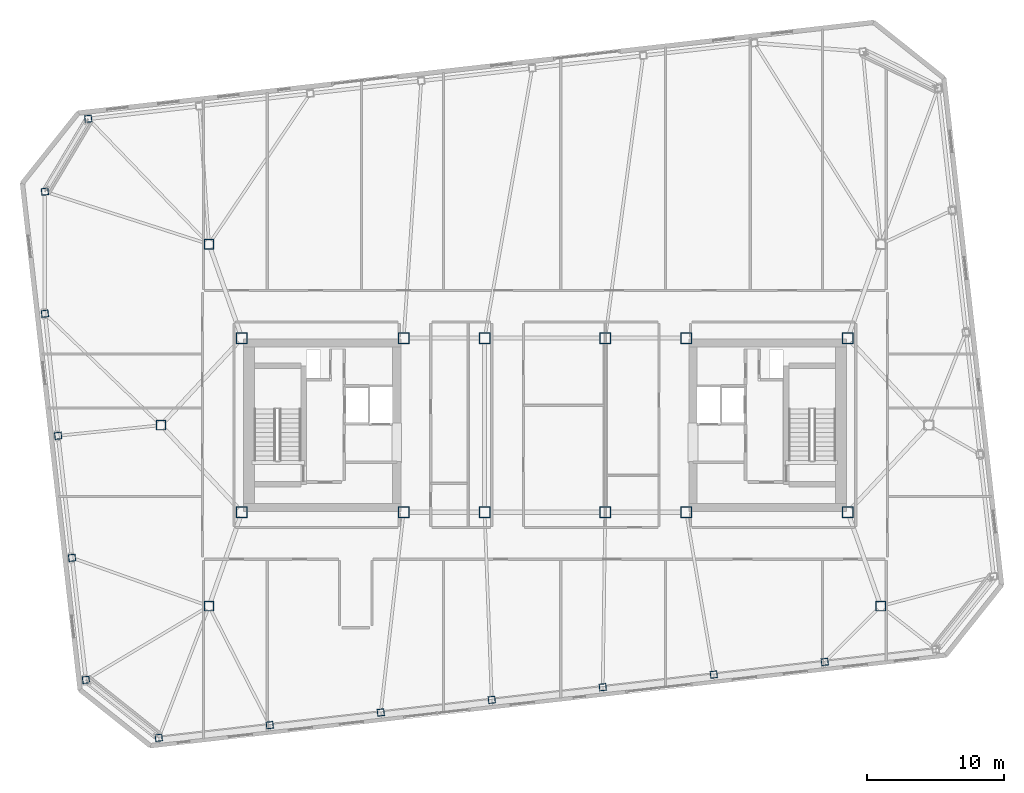
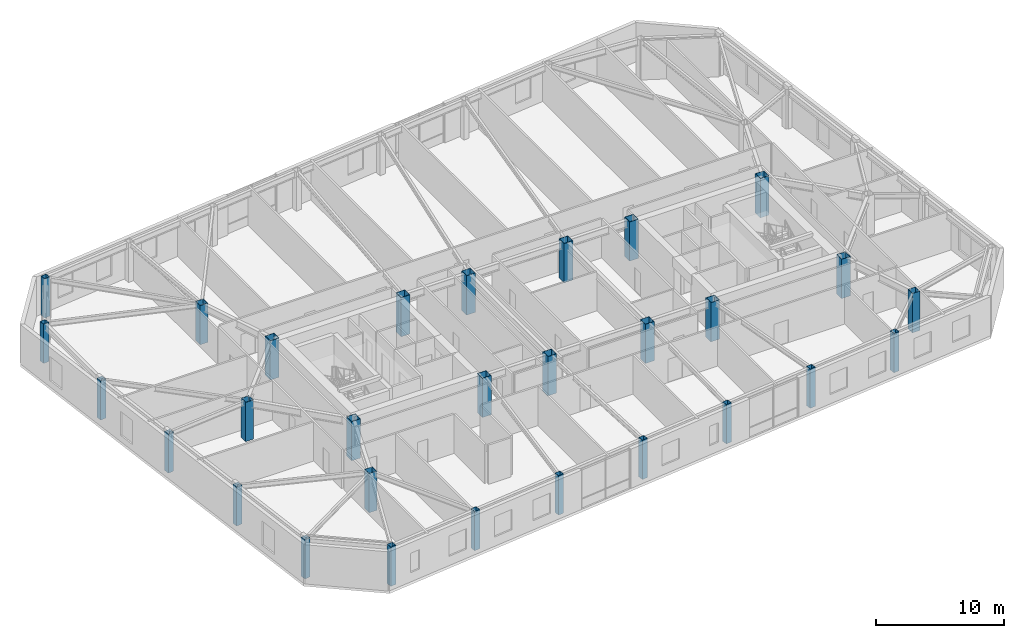
# One storey, part 1 of 19: 29 columns.
"""IFC4 building model written with IfcOpenShell, lengths in metres."""

from ifc_helpers import new_model, si_unit, direction, frame, origin, origin_2d, place, context, subcontext, project, spatial, hollow_rectangle, extrude, material, material_profile, profile_set, type_object, element, save


model = new_model("IFC4")

# Units and contexts
model_context = context("Model", 3, precision=1e-05, world=origin(), true_north=direction((0.0, 1.0)))
body_context = subcontext(model_context, "Body", "Model", "MODEL_VIEW")
ifc_project = project(units=[si_unit("LENGTHUNIT", "METRE"), si_unit("AREAUNIT", "SQUARE_METRE"), si_unit("VOLUMEUNIT", "CUBIC_METRE"), si_unit("PLANEANGLEUNIT", "RADIAN"), si_unit("MASSUNIT", "GRAM", prefix="KILO")], contexts=[model_context])

# Site, building, storey
site_placement = place(None, origin())
site = spatial("IfcSite", under=ifc_project, at=site_placement, CompositionType="ELEMENT")
building_placement = place(site_placement, origin())
building = spatial("IfcBuilding", under=site, at=building_placement, Name="Tavrogorsk Clinical Tower", CompositionType="ELEMENT")
storey_placement = place(building_placement, frame((0.0, 0.0, 259.0)))
storey = spatial("IfcBuildingStorey", under=building, at=storey_placement, Name="L60", CompositionType="ELEMENT", Elevation=259.0)

# Columns
ifc_material_1 = material(Name="Structural steel S440", Category="steel")
ifc_material_profile_1 = material_profile(ifc_material_1, hollow_rectangle(XDim=0.699951171875, YDim=0.699951171875, WallThickness=0.031982421875, at=origin_2d()), Name="BOX-700x700x32")
ifc_profile_set_1 = profile_set([ifc_material_profile_1], Name="Structural steel S440")
column_type_1 = type_object("IfcColumnType", Name="MegaCol_BOX700", PredefinedType="COLUMN", material=ifc_profile_set_1)
for number, where, z_axis, x_axis, name in (
    (1, (-24.5, -13.199951171875, 0.0), (0.0, 0.0, 1.0), (1.0, 0.0, 0.0), "L60 Spine Pilotis Column MC-P1"),
    (2, (24.5, -13.199951171875, 0.0), (0.0, 0.0, 1.0), (1.0, 0.0, 0.0), "L60 Spine Pilotis Column MC-P2"),
    (3, (-24.5, 13.199951171875, 0.0), (0.0, 0.0, 1.0), (1.0, 0.0, 0.0), "L60 Spine Pilotis Column MC-P3"),
    (4, (-28.0, 0.0, 0.0), (0.0, 0.0, 1.0), (1.0, 0.0, 0.0), "L60 Spine Pilotis Column MC-P5"),
):
    element("IfcColumn", number, at=place(storey_placement, frame(where, z_axis=z_axis, x_axis=x_axis)), inside=storey, type_object=column_type_1, Name=name, PredefinedType="COLUMN", context=body_context, shape_type="SweptSolid", body=[
        extrude(hollow_rectangle(XDim=0.699951171875, YDim=0.699951171875, WallThickness=0.031982421875, at=origin_2d()), origin(), (0.0, 0.0, 1.0), 3.739990234375),
    ])
ifc_material_2 = material(Name="Structural steel S440", Category="steel")
ifc_material_profile_2 = material_profile(ifc_material_2, hollow_rectangle(XDim=0.800048828125, YDim=0.800048828125, WallThickness=0.035888671875, at=origin_2d()), Name="BOX-800x800x36")
ifc_profile_set_2 = profile_set([ifc_material_profile_2], Name="Structural steel S440")
column_type_2 = type_object("IfcColumnType", Name="MegaCol_BOX800", PredefinedType="COLUMN", material=ifc_profile_set_2)
for number, where, z_axis, x_axis, name in (
    (5, (-22.10009765625, -6.35009765625, 0.0), (0.0, 0.0, 1.0), (1.0, 0.0, 0.0), "L60 Mega Column MC-W1"),
    (6, (-22.10009765625, 6.35009765625, 0.0), (0.0, 0.0, 1.0), (1.0, 0.0, 0.0), "L60 Mega Column MC-W2"),
    (7, (-10.300048828125, -6.35009765625, 0.0), (0.0, 0.0, 1.0), (1.0, 0.0, 0.0), "L60 Mega Column MC-W3"),
    (8, (-10.300048828125, 6.35009765625, 0.0), (0.0, 0.0, 1.0), (1.0, 0.0, 0.0), "L60 Mega Column MC-W4"),
    (9, (10.300048828125, -6.35009765625, 0.0), (0.0, 0.0, 1.0), (1.0, 0.0, 0.0), "L60 Mega Column MC-E1"),
    (10, (10.300048828125, 6.35009765625, 0.0), (0.0, 0.0, 1.0), (1.0, 0.0, 0.0), "L60 Mega Column MC-E2"),
    (11, (22.10009765625, -6.35009765625, 0.0), (0.0, 0.0, 1.0), (1.0, 0.0, 0.0), "L60 Mega Column MC-E3"),
    (12, (22.10009765625, 6.35009765625, 0.0), (0.0, 0.0, 1.0), (1.0, 0.0, 0.0), "L60 Mega Column MC-E4"),
    (13, (-4.39990234375, -6.35009765625, 0.0), (0.0, 0.0, 1.0), (1.0, 0.0, 0.0), "L60 Mega Column MC-C1"),
    (14, (4.39990234375, -6.35009765625, 0.0), (0.0, 0.0, 1.0), (1.0, 0.0, 0.0), "L60 Mega Column MC-C2"),
    (15, (-4.39990234375, 6.35009765625, 0.0), (0.0, 0.0, 1.0), (1.0, 0.0, 0.0), "L60 Mega Column MC-C3"),
    (16, (4.39990234375, 6.35009765625, 0.0), (0.0, 0.0, 1.0), (1.0, 0.0, 0.0), "L60 Mega Column MC-C4"),
):
    element("IfcColumn", number, at=place(storey_placement, frame(where, z_axis=z_axis, x_axis=x_axis)), inside=storey, type_object=column_type_2, Name=name, PredefinedType="COLUMN", context=body_context, shape_type="SweptSolid", body=[
        extrude(hollow_rectangle(XDim=0.800048828125, YDim=0.800048828125, WallThickness=0.035888671875, at=origin_2d()), origin(), (0.0, 0.0, 1.0), 3.739990234375),
    ])
ifc_material_3 = material(Name="Structural steel S440", Category="steel")
ifc_material_profile_3 = material_profile(ifc_material_3, hollow_rectangle(XDim=0.5, YDim=0.5, WallThickness=0.02490234375, at=origin_2d()), Name="BOX-500x500x25")
ifc_profile_set_3 = profile_set([ifc_material_profile_3], Name="Structural steel S440")
column_type_3 = type_object("IfcColumnType", Name="PerimCol_B4_BOX500", PredefinedType="COLUMN", material=ifc_profile_set_3)
for number, where, z_axis, x_axis, name in (
    (17, (-28.164794921875, -22.802490234375, 0.0), (0.0, 0.0, 1.0), (0.993571855677, 0.113203213768, 0.0), "L60 Perimeter Column S1"),
    (18, (-20.068603515625, -21.880126953125, 0.0), (0.0, 0.0, 1.0), (0.993571855677, 0.113203213768, 0.0), "L60 Perimeter Column S2"),
    (19, (-11.972412109375, -20.95751953125, 0.0), (0.0, 0.0, 1.0), (0.993571855677, 0.113203213768, 0.0), "L60 Perimeter Column S3"),
    (20, (-3.876220703125, -20.03515625, 0.0), (0.0, 0.0, 1.0), (0.993571855677, 0.113203213768, 0.0), "L60 Perimeter Column S4"),
    (21, (4.22021484375, -19.11279296875, 0.0), (0.0, 0.0, 1.0), (0.993571855677, 0.113203213768, 0.0), "L60 Perimeter Column S5"),
    (22, (12.31640625, -18.190185546875, 0.0), (0.0, 0.0, 1.0), (0.993571855677, 0.113203213768, 0.0), "L60 Perimeter Column S6"),
    (23, (20.412353515625, -17.267822265625, 0.0), (0.0, 0.0, 1.0), (0.993571855677, 0.113203213768, 0.0), "L60 Perimeter Column S7"),
    (24, (-33.30859375, 22.345458984375, 0.0), (0.0, 0.0, 1.0), (0.993571855677, 0.113203213768, 0.0), "L60 Perimeter Column N8"),
    (25, (-36.469970703125, 17.032958984375, 0.0), (0.0, 0.0, 1.0), (0.993571855677, 0.113203213768, 0.0), "L60 Perimeter Column W1"),
    (26, (-36.469970703125, 8.130615234375, 0.0), (0.0, 0.0, 1.0), (0.993571855677, 0.113203213768, 0.0), "L60 Perimeter Column W2"),
    (27, (-35.505859375, -0.77197265625, 0.0), (0.0, 0.0, 1.0), (0.993571855677, 0.113203213768, 0.0), "L60 Perimeter Column W3"),
    (28, (-34.491455078125, -9.67431640625, 0.0), (0.0, 0.0, 1.0), (0.993571855677, 0.113203213768, 0.0), "L60 Perimeter Column W4"),
    (29, (-33.477294921875, -18.57666015625, 0.0), (0.0, 0.0, 1.0), (0.993571855677, 0.113203213768, 0.0), "L60 Perimeter Column W5"),
):
    element("IfcColumn", number, at=place(storey_placement, frame(where, z_axis=z_axis, x_axis=x_axis)), inside=storey, type_object=column_type_3, Name=name, PredefinedType="COLUMN", context=body_context, shape_type="SweptSolid", body=[
        extrude(hollow_rectangle(XDim=0.5, YDim=0.5, WallThickness=0.02490234375, at=origin_2d()), origin(), (0.0, 0.0, 1.0), 3.739990234375),
    ])

save(model, "model.ifc")
